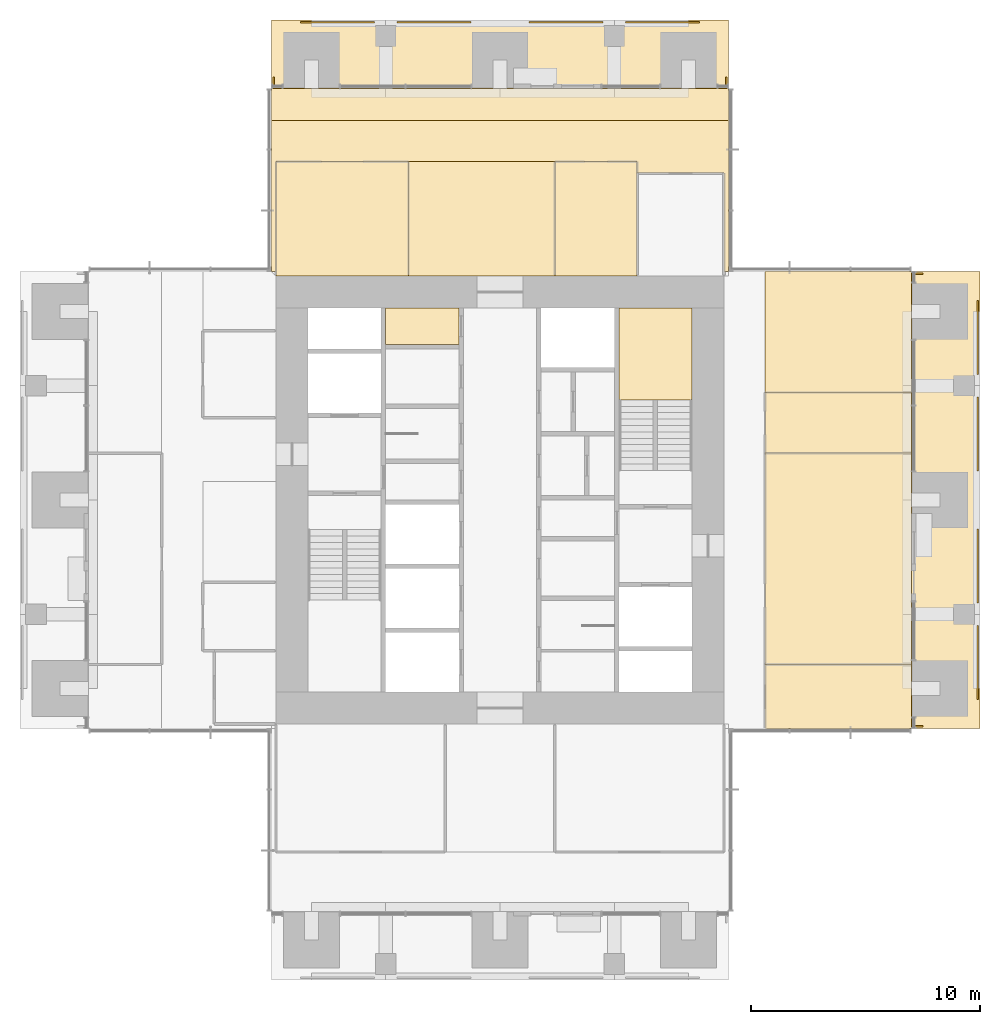
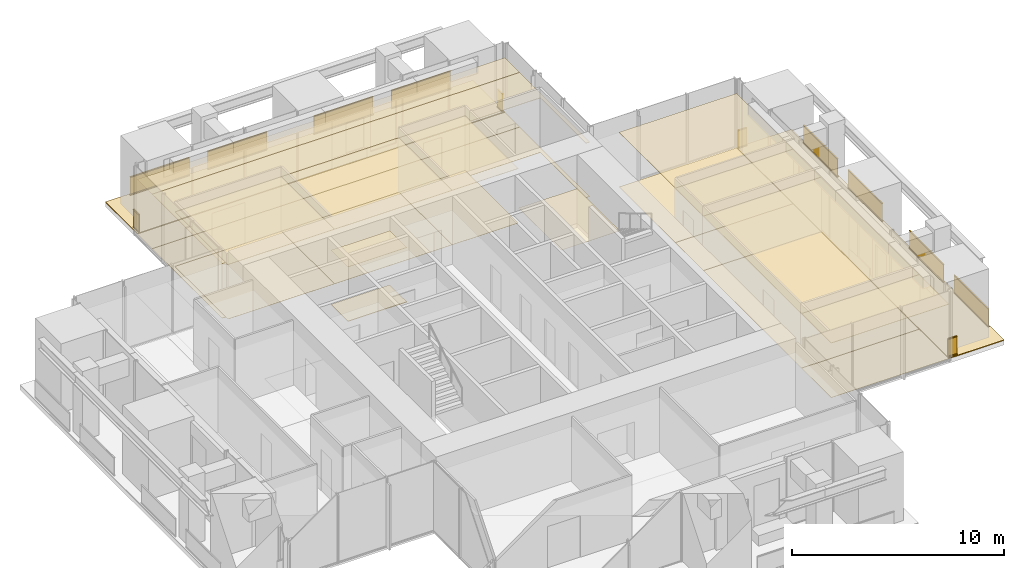
# One storey, part 16 of 17: 23 coverings, 12 railings.
"""IFC4 building model written with IfcOpenShell, lengths in metres."""

import ifcopenshell
import ifcopenshell.guid

model = None  # the IFC model being written
_history = None  # IfcOwnerHistory: only IFC2X3 demands one
_inside = {}  # id of a spatial element -> (the spatial element, [elements in it])
_under = {}  # id of a project, library or spatial element -> (it, [spatial elements below it])
_declared = {}  # id of a project -> (the project, [libraries it declares])
_typed = {}  # id of a type object -> (the type object, [elements of that type])
_made_of = {}  # id of a material, layer set ... -> (it, [elements and type objects made of it])


def new_model(schema):
    """Start an empty IFC model of exactly this schema.

    Asked for "IFC4X3", IfcOpenShell would pick the latest addendum, in which some entities
    have other attributes; the version numbers below select the first issue.
    IFC2X3 requires an IfcOwnerHistory on every rooted entity: one is made here for all.
    """
    global model, _history
    if schema == "IFC4X3":
        model = ifcopenshell.file(schema_version=(4, 3, 0, 0))
    else:
        model = ifcopenshell.file(schema=schema)
    _inside.clear()
    _under.clear()
    _declared.clear()
    _typed.clear()
    _made_of.clear()
    _history = None
    if model.schema == "IFC2X3":
        org = make("IfcOrganization", Name="unknown")
        user = make(
            "IfcPersonAndOrganization",
            ThePerson=make("IfcPerson", FamilyName="unknown"),
            TheOrganization=org,
        )
        app = make(
            "IfcApplication",
            ApplicationDeveloper=org,
            Version="unknown",
            ApplicationFullName="unknown",
            ApplicationIdentifier="unknown",
        )
        _history = make(
            "IfcOwnerHistory",
            OwningUser=user,
            OwningApplication=app,
            ChangeAction="ADDED",
            CreationDate=0,
        )
    return model


def make(cls, **values):
    """One entity of the class cls with the attributes given. An attribute that is None is left unset."""
    return model.create_entity(
        cls, **{name: value for name, value in values.items() if value is not None}
    )


def rooted(cls, **values):
    """An entity with a GlobalId (a new one), such as an element, a storey or a relation."""
    return make(cls, GlobalId=ifcopenshell.guid.new(), OwnerHistory=_history, **values)


def si_unit(unit_type, name, prefix=None):
    """IfcSIUnit, for example si_unit("LENGTHUNIT", "METRE", prefix="MILLI")."""
    return make("IfcSIUnit", UnitType=unit_type, Prefix=prefix, Name=name)


def assignment(units):
    """IfcUnitAssignment: the units of a project."""
    return None if units is None else make("IfcUnitAssignment", Units=units)


def point(xyz):
    """IfcCartesianPoint."""
    return None if xyz is None else make("IfcCartesianPoint", Coordinates=xyz)


def direction(xyz):
    """IfcDirection."""
    return None if xyz is None else make("IfcDirection", DirectionRatios=xyz)


def frame(location, z_axis=None, x_axis=None):
    """IfcAxis2Placement3D, a coordinate frame: its origin and axes. An axis left out is left unset."""
    return make(
        "IfcAxis2Placement3D",
        Location=point(location),
        Axis=direction(z_axis),
        RefDirection=direction(x_axis),
    )


def frame_2d(location, x_axis=None):
    """IfcAxis2Placement2D, a coordinate frame in the plane: its origin and x axis."""
    return make(
        "IfcAxis2Placement2D", Location=point(location), RefDirection=direction(x_axis)
    )


def origin():
    """The frame at (0, 0, 0) with its axes left unset."""
    return frame((0.0, 0.0, 0.0))


def origin_2d():
    """The frame at (0, 0) in the plane with its x axis left unset."""
    return frame_2d((0.0, 0.0))


def place(relative_to, where):
    """IfcLocalPlacement: puts the frame where relative to a parent placement (None: the world)."""
    return make(
        "IfcLocalPlacement", PlacementRelTo=relative_to, RelativePlacement=where
    )


def context(
    kind, dimensions, precision=None, world=None, true_north=None, identifier=None
):
    """IfcGeometricRepresentationContext, for example the 3D "Model" context."""
    return make(
        "IfcGeometricRepresentationContext",
        ContextIdentifier=identifier,
        ContextType=kind,
        CoordinateSpaceDimension=dimensions,
        Precision=precision,
        WorldCoordinateSystem=world,
        TrueNorth=true_north,
    )


def subcontext(parent, identifier, kind, view, scale=None):
    """IfcGeometricRepresentationSubContext, for example "Body" below "Model"."""
    return make(
        "IfcGeometricRepresentationSubContext",
        ContextIdentifier=identifier,
        ContextType=kind,
        ParentContext=parent,
        TargetScale=scale,
        TargetView=view,
    )


def project(units=None, contexts=None):
    """IfcProject with its units and contexts."""
    return rooted(
        "IfcProject",
        Name="project",
        RepresentationContexts=contexts,
        UnitsInContext=assignment(units),
    )


def spatial(cls, under=None, at=None, **own):
    """A site, building, storey or space (cls), placed at a placement, below another one or the project."""
    s = rooted(cls, ObjectPlacement=at, **own)
    if under is not None:
        _under.setdefault(under.id(), (under, []))[1].append(s)
    return s


def polyline(points):
    """IfcPolyline through the points."""
    return make("IfcPolyline", Points=[point(p) for p in points])


def profile(cls, at=None, kind="AREA", **sizes):
    """A parametric profile (cls). Its sizes go by their IFC names, for example OverallWidth=200.0."""
    return make(cls, ProfileType=kind, Position=at, **sizes)


def rectangle(**sizes):
    """IfcRectangleProfileDef."""
    return profile("IfcRectangleProfileDef", **sizes)


def outline(outer, holes=None, kind="AREA"):
    """IfcArbitraryClosedProfileDef: a profile drawn as a closed curve; with holes, ...WithVoids."""
    if holes is None:
        return make("IfcArbitraryClosedProfileDef", ProfileType=kind, OuterCurve=outer)
    return make(
        "IfcArbitraryProfileDefWithVoids",
        ProfileType=kind,
        OuterCurve=outer,
        InnerCurves=holes,
    )


def extrude(swept, where, along, depth):
    """IfcExtrudedAreaSolid: the profile swept, set in the frame where, extruded along a direction by depth."""
    return make(
        "IfcExtrudedAreaSolid",
        SweptArea=swept,
        Position=where,
        ExtrudedDirection=direction(along),
        Depth=depth,
    )


def shape(context_of_items, identifier, shape_type, items):
    """IfcShapeRepresentation: the items that make up one representation, for example the "Body"."""
    return make(
        "IfcShapeRepresentation",
        ContextOfItems=context_of_items,
        RepresentationIdentifier=identifier,
        RepresentationType=shape_type,
        Items=items,
    )


def material(Name=None, Category=None):
    """IfcMaterial."""
    return make("IfcMaterial", Name=Name, Category=Category)


def layer(
    of_material, thickness, ventilated=None, Name=None, Category=None, Priority=None
):
    """IfcMaterialLayer: one layer of a wall or slab, of a material (None: an air gap)."""
    return make(
        "IfcMaterialLayer",
        Material=of_material,
        LayerThickness=thickness,
        IsVentilated=ventilated,
        Name=Name,
        Category=Category,
        Priority=Priority,
    )


def layer_set(layers, Name=None):
    """IfcMaterialLayerSet."""
    return make("IfcMaterialLayerSet", MaterialLayers=layers, LayerSetName=Name)


def made_of(thing, what):
    """Note that an element or type object is made of a material, layer set ...; save() writes the relation."""
    if what is not None:
        _made_of.setdefault(what.id(), (what, []))[1].append(thing)
    return thing


def type_object(cls, material=None, **own):
    """A type object (cls), such as IfcWallType, which elements share."""
    return made_of(rooted(cls, **own), material)


def element(
    cls,
    number,
    at=None,
    inside=None,
    cuts=None,
    type_object=None,
    material=None,
    context=None,
    identifier="Body",
    shape_type=None,
    held_by="IfcProductDefinitionShape",
    body=None,
    shapes=None,
    **own,
):
    """One element of the class cls, such as IfcWall. Its Tag is "e" and its number.

    at: its placement. inside: the storey or other place that contains it. cuts: it is an
    opening in that element (IfcRelVoidsElement). A single representation is given by context,
    identifier, shape_type and body (its items); several are given by shapes. held_by: the class
    of the entity that holds the representations. save() writes the other relations.
    """
    e = rooted(cls, Tag="e%d" % number, ObjectPlacement=at, **own)
    if body is not None:
        shapes = [shape(context, identifier, shape_type, body)]
    if shapes is not None:
        e.Representation = make(held_by, Representations=shapes)
    if inside is not None:
        _inside.setdefault(inside.id(), (inside, []))[1].append(e)
    if cuts is not None:
        rooted(
            "IfcRelVoidsElement", RelatingBuildingElement=cuts, RelatedOpeningElement=e
        )
    if type_object is not None:
        _typed.setdefault(type_object.id(), (type_object, []))[1].append(e)
    return made_of(e, material)


def aggregate(whole, parts):
    """IfcRelAggregates: a whole, such as a stair, and the parts it consists of."""
    return rooted("IfcRelAggregates", RelatingObject=whole, RelatedObjects=parts)


def save(model, path):
    """Write the relations noted so far, then the file.

    IfcRelAggregates (storeys below a building ...), IfcRelContainedInSpatialStructure (elements
    in a storey), IfcRelDefinesByType, IfcRelAssociatesMaterial and IfcRelDeclares: one each for
    every whole, place, type object, material and project.
    """
    for whole, parts in _under.values():
        aggregate(whole, parts)
    for where, things in _inside.values():
        rooted(
            "IfcRelContainedInSpatialStructure",
            RelatedElements=things,
            RelatingStructure=where,
        )
    for kind, things in _typed.values():
        rooted("IfcRelDefinesByType", RelatedObjects=things, RelatingType=kind)
    for what, things in _made_of.values():
        rooted("IfcRelAssociatesMaterial", RelatedObjects=things, RelatingMaterial=what)
    for by, libraries in _declared.values():
        rooted("IfcRelDeclares", RelatingContext=by, RelatedDefinitions=libraries)
    model.write(path)


model = new_model("IFC4")

# Units and contexts
model_context = context("Model", 3, precision=1e-05, world=origin(), true_north=direction((0.0, 1.0)))
body_context = subcontext(model_context, "Body", "Model", "MODEL_VIEW")
ifc_project = project(units=[si_unit("LENGTHUNIT", "METRE"), si_unit("AREAUNIT", "SQUARE_METRE"), si_unit("VOLUMEUNIT", "CUBIC_METRE"), si_unit("PLANEANGLEUNIT", "RADIAN"), si_unit("MASSUNIT", "GRAM", prefix="KILO")], contexts=[model_context])

# Site, building, storey
site_placement = place(None, origin())
site = spatial("IfcSite", under=ifc_project, at=site_placement, CompositionType="ELEMENT")
building_placement = place(site_placement, origin())
building = spatial("IfcBuilding", under=site, at=building_placement, Name="Svetlomir Tower", CompositionType="ELEMENT")
storey_placement = place(building_placement, frame((0.0, 0.0, 210.5)))
storey = spatial("IfcBuildingStorey", under=building, at=storey_placement, Name="L50", CompositionType="ELEMENT", Elevation=210.5)

# Railings
ifc_material_1 = material(Name="Bronze anodised aluminium and laminated glass", Category="aluminium")
railing_type = type_object("IfcRailingType", Name="BALCONY GUARD GR1 1100", PredefinedType="GUARDRAIL", material=ifc_material_1)
for number, where, name in (
    (1, (41.89990234375, 12.27490234375, 0.0), "Loggia guard E L50 bay 1"),
    (2, (41.89990234375, 16.5, 0.0), "Loggia guard E L50 bay 2"),
    (3, (41.89990234375, 22.27490234375, 0.0), "Loggia guard E L50 bay 3"),
    (4, (41.89990234375, 26.5, 0.0), "Loggia guard E L50 bay 4"),
):
    element("IfcRailing", number, at=place(storey_placement, frame(where)), inside=storey, type_object=railing_type, Name=name, PredefinedType="GUARDRAIL", context=body_context, shape_type="SweptSolid", body=[
        extrude(rectangle(XDim=0.06005859375, YDim=0.10009765625, at=origin_2d()), frame((0.0, 0.0, 0.050048828125), z_axis=(0.0, 1.0, 0.0), x_axis=(-1.0, 0.0, 0.0)), (0.0, 0.0, 1.0), 3.22509765625),
        extrude(rectangle(XDim=0.021484375, YDim=0.960205078125, at=origin_2d()), frame((0.0, 0.0, 0.580078125), z_axis=(0.0, 1.0, 0.0), x_axis=(-1.0, 0.0, 0.0)), (0.0, 0.0, 1.0), 3.22509765625),
        extrude(rectangle(XDim=0.06005859375, YDim=0.0400390625, at=origin_2d()), frame((0.0, 0.0, 1.080078125), z_axis=(0.0, 1.0, 0.0), x_axis=(-1.0, 0.0, 0.0)), (0.0, 0.0, 1.0), 3.22509765625),
    ])
for number, where, name in (
    (5, (39.5, 11.10009765625, 0.0), "Loggia guard E L50 end 1"),
    (6, (39.5, 30.89990234375, 0.0), "Loggia guard E L50 end 2"),
):
    element("IfcRailing", number, at=place(storey_placement, frame(where)), inside=storey, type_object=railing_type, Name=name, PredefinedType="GUARDRAIL", context=body_context, shape_type="SweptSolid", body=[
        extrude(rectangle(XDim=0.06005859375, YDim=0.10009765625, at=origin_2d()), frame((0.0, 0.0, 0.050048828125), z_axis=(-1.0, 0.0, 0.0), x_axis=(0.0, -1.0, 0.0)), (0.0, 0.0, 1.0), 0.5),
        extrude(rectangle(XDim=0.021484375, YDim=0.960205078125, at=origin_2d()), frame((0.0, 0.0, 0.580078125), z_axis=(-1.0, 0.0, 0.0), x_axis=(0.0, -1.0, 0.0)), (0.0, 0.0, 1.0), 0.5),
        extrude(rectangle(XDim=0.06005859375, YDim=0.0400390625, at=origin_2d()), frame((0.0, 0.0, 1.080078125), z_axis=(-1.0, 0.0, 0.0), x_axis=(0.0, -1.0, 0.0)), (0.0, 0.0, 1.0), 0.5),
    ])
for number, where, name in (
    (7, (12.27490234375, 41.89990234375, 0.0), "Loggia guard N L50 bay 1"),
    (8, (16.5, 41.89990234375, 0.0), "Loggia guard N L50 bay 2"),
    (9, (22.27490234375, 41.89990234375, 0.0), "Loggia guard N L50 bay 3"),
    (10, (26.5, 41.89990234375, 0.0), "Loggia guard N L50 bay 4"),
):
    element("IfcRailing", number, at=place(storey_placement, frame(where)), inside=storey, type_object=railing_type, Name=name, PredefinedType="GUARDRAIL", context=body_context, shape_type="SweptSolid", body=[
        extrude(rectangle(XDim=0.06005859375, YDim=0.10009765625, at=origin_2d()), frame((0.0, 0.0, 0.050048828125), z_axis=(1.0, 0.0, 0.0), x_axis=(0.0, 1.0, 0.0)), (0.0, 0.0, 1.0), 3.22509765625),
        extrude(rectangle(XDim=0.021484375, YDim=0.960205078125, at=origin_2d()), frame((0.0, 0.0, 0.580078125), z_axis=(1.0, 0.0, 0.0), x_axis=(0.0, 1.0, 0.0)), (0.0, 0.0, 1.0), 3.22509765625),
        extrude(rectangle(XDim=0.06005859375, YDim=0.0400390625, at=origin_2d()), frame((0.0, 0.0, 1.080078125), z_axis=(1.0, 0.0, 0.0), x_axis=(0.0, 1.0, 0.0)), (0.0, 0.0, 1.0), 3.22509765625),
    ])
for number, where, name in (
    (11, (11.10009765625, 39.5, 0.0), "Loggia guard N L50 end 1"),
    (12, (30.89990234375, 39.5, 0.0), "Loggia guard N L50 end 2"),
):
    element("IfcRailing", number, at=place(storey_placement, frame(where)), inside=storey, type_object=railing_type, Name=name, PredefinedType="GUARDRAIL", context=body_context, shape_type="SweptSolid", body=[
        extrude(rectangle(XDim=0.06005859375, YDim=0.10009765625, at=origin_2d()), frame((0.0, 0.0, 0.050048828125), z_axis=(0.0, -1.0, 0.0), x_axis=(1.0, 0.0, 0.0)), (0.0, 0.0, 1.0), 0.5),
        extrude(rectangle(XDim=0.021484375, YDim=0.960205078125, at=origin_2d()), frame((0.0, 0.0, 0.580078125), z_axis=(0.0, -1.0, 0.0), x_axis=(1.0, 0.0, 0.0)), (0.0, 0.0, 1.0), 0.5),
        extrude(rectangle(XDim=0.06005859375, YDim=0.0400390625, at=origin_2d()), frame((0.0, 0.0, 1.080078125), z_axis=(0.0, -1.0, 0.0), x_axis=(1.0, 0.0, 0.0)), (0.0, 0.0, 1.0), 0.5),
    ])

# Coverings
ifc_material_2 = material(Name="Granite paving slabs on pedestals", Category="masonry")
ifc_layer_1 = layer(ifc_material_2, 0.0400390625)
ifc_layer_set_1 = layer_set([ifc_layer_1], Name="Granite paving slabs on pedestals")
covering_type_1 = type_object("IfcCoveringType", Name="BALCONY PAVING 40", PredefinedType="USERDEFINED", material=ifc_layer_set_1)
covering_1_placement = place(storey_placement, origin())
element("IfcCovering", 13, at=covering_1_placement, inside=storey, type_object=covering_type_1, Name="Loggia paving E L50", ObjectType="BALCONY PAVING", PredefinedType="USERDEFINED", context=body_context, shape_type="SweptSolid", body=[
    extrude(outline(polyline([(39.0, 11.0), (42.0, 11.0), (42.0, 31.0), (39.0, 31.0), (39.0, 11.0)])), origin(), (0.0, 0.0, 1.0), 0.0400390625),
])
covering_2_placement = place(storey_placement, origin())
element("IfcCovering", 14, at=covering_2_placement, inside=storey, type_object=covering_type_1, Name="Loggia paving N L50", ObjectType="BALCONY PAVING", PredefinedType="USERDEFINED", context=body_context, shape_type="SweptSolid", body=[
    extrude(outline(polyline([(11.0, 39.0), (31.0, 39.0), (31.0, 42.0), (11.0, 42.0), (11.0, 39.0)])), origin(), (0.0, 0.0, 1.0), 0.0400390625),
])
ifc_material_3 = material(Name="Carpet tile", Category="textile")
ifc_layer_2 = layer(ifc_material_3, 0.010009765625)
ifc_layer_set_2 = layer_set([ifc_layer_2], Name="Carpet tile")
covering_type_2 = type_object("IfcCoveringType", Name="CARPET TILE FLOOR 10", PredefinedType="FLOORING", material=ifc_layer_set_2)
covering_3_placement = place(storey_placement, origin())
element("IfcCovering", 15, at=covering_3_placement, inside=storey, type_object=covering_type_2, Name="Floor finish L50-20", PredefinedType="FLOORING", context=body_context, shape_type="SweptSolid", body=[
    extrude(outline(polyline([(32.60009765625, 11.0), (39.0, 11.0), (39.0, 13.800048828125), (32.60009765625, 13.800048828125), (32.60009765625, 11.0)])), origin(), (0.0, 0.0, 1.0), 0.010009765625),
])
covering_4_placement = place(storey_placement, origin())
element("IfcCovering", 16, at=covering_4_placement, inside=storey, type_object=covering_type_2, Name="Floor finish L50-21", PredefinedType="FLOORING", context=body_context, shape_type="SweptSolid", body=[
    extrude(outline(polyline([(32.60009765625, 13.800048828125), (39.0, 13.800048828125), (39.0, 23.050048828125), (32.60009765625, 23.050048828125), (32.60009765625, 13.800048828125)])), origin(), (0.0, 0.0, 1.0), 0.010009765625),
])
covering_5_placement = place(storey_placement, origin())
element("IfcCovering", 17, at=covering_5_placement, inside=storey, type_object=covering_type_2, Name="Floor finish L50-22", PredefinedType="FLOORING", context=body_context, shape_type="SweptSolid", body=[
    extrude(outline(polyline([(32.60009765625, 23.050048828125), (39.0, 23.050048828125), (39.0, 25.699951171875), (32.60009765625, 25.699951171875), (32.60009765625, 23.050048828125)])), origin(), (0.0, 0.0, 1.0), 0.010009765625),
])
covering_6_placement = place(storey_placement, origin())
element("IfcCovering", 18, at=covering_6_placement, inside=storey, type_object=covering_type_2, Name="Floor finish L50-23", PredefinedType="FLOORING", context=body_context, shape_type="SweptSolid", body=[
    extrude(outline(polyline([(11.199951171875, 30.800048828125), (17.0, 30.800048828125), (17.0, 35.800048828125), (11.199951171875, 35.800048828125), (11.199951171875, 30.800048828125)])), origin(), (0.0, 0.0, 1.0), 0.010009765625),
])
covering_7_placement = place(storey_placement, origin())
element("IfcCovering", 19, at=covering_7_placement, inside=storey, type_object=covering_type_2, Name="Floor finish L50-24", PredefinedType="FLOORING", context=body_context, shape_type="SweptSolid", body=[
    extrude(outline(polyline([(23.39990234375, 30.800048828125), (27.0, 30.800048828125), (27.0, 35.800048828125), (23.39990234375, 35.800048828125), (23.39990234375, 30.800048828125)])), origin(), (0.0, 0.0, 1.0), 0.010009765625),
])
covering_8_placement = place(storey_placement, origin())
element("IfcCovering", 20, at=covering_8_placement, inside=storey, type_object=covering_type_2, Name="Floor finish L50-33", PredefinedType="FLOORING", context=body_context, shape_type="SweptSolid", body=[
    extrude(outline(polyline([(30.800048828125, 35.300048828125), (27.0, 35.300048828125), (27.0, 35.800048828125), (11.199951171875, 35.800048828125), (11.199951171875, 31.0), (11.0, 31.0), (11.0, 37.60009765625), (31.0, 37.60009765625), (31.0, 31.0), (30.800048828125, 31.0), (30.800048828125, 35.300048828125)])), origin(), (0.0, 0.0, 1.0), 0.010009765625),
])
covering_9_placement = place(storey_placement, origin())
element("IfcCovering", 21, at=covering_9_placement, inside=storey, type_object=covering_type_2, Name="Floor finish L50-35", PredefinedType="FLOORING", context=body_context, shape_type="SweptSolid", body=[
    extrude(outline(polyline([(32.60009765625, 25.699951171875), (32.60009765625, 31.0), (39.0, 31.0), (39.0, 25.699951171875), (32.60009765625, 25.699951171875)])), origin(), (0.0, 0.0, 1.0), 0.010009765625),
])
covering_10_placement = place(storey_placement, origin())
element("IfcCovering", 22, at=covering_10_placement, inside=storey, type_object=covering_type_2, Name="Floor finish L50-36", PredefinedType="FLOORING", context=body_context, shape_type="SweptSolid", body=[
    extrude(outline(polyline([(17.0, 30.800048828125), (17.0, 35.800048828125), (23.39990234375, 35.800048828125), (23.39990234375, 30.800048828125), (17.0, 30.800048828125)])), origin(), (0.0, 0.0, 1.0), 0.010009765625),
])
covering_11_placement = place(storey_placement, origin())
element("IfcCovering", 23, at=covering_11_placement, inside=storey, type_object=covering_type_2, Name="Floor finish L50-37", PredefinedType="FLOORING", context=body_context, shape_type="SweptSolid", body=[
    extrude(outline(polyline([(31.0, 39.0), (31.0, 37.60009765625), (11.0, 37.60009765625), (11.0, 39.0), (31.0, 39.0)])), origin(), (0.0, 0.0, 1.0), 0.010009765625),
])
ifc_material_4 = material(Name="Gypsum plasterboard ceiling", Category="gypsum")
ifc_layer_3 = layer(ifc_material_4, 0.014892578125)
ifc_layer_set_3 = layer_set([ifc_layer_3], Name="Gypsum plasterboard ceiling")
covering_type_3 = type_object("IfcCoveringType", Name="PLASTERBOARD CEILING 15", PredefinedType="CEILING", material=ifc_layer_set_3)
covering_12_placement = place(storey_placement, frame((0.0, 0.0, 3.135009765625)))
element("IfcCovering", 24, at=covering_12_placement, inside=storey, type_object=covering_type_3, Name="Ceiling L50-06", PredefinedType="CEILING", context=body_context, shape_type="SweptSolid", body=[
    extrude(outline(polyline([(16.0, 27.800048828125), (19.199951171875, 27.800048828125), (19.199951171875, 29.39990234375), (16.0, 29.39990234375), (16.0, 27.800048828125)])), origin(), (0.0, 0.0, 1.0), 0.014892578125),
])
ifc_material_5 = material(Name="Studded rubber floor finish", Category="rubber")
ifc_layer_4 = layer(ifc_material_5, 0.006103515625)
ifc_layer_set_4 = layer_set([ifc_layer_4], Name="Studded rubber floor finish")
covering_type_4 = type_object("IfcCoveringType", Name="RUBBER LANDING FINISH 6", PredefinedType="FLOORING", material=ifc_layer_set_4)
covering_13_placement = place(storey_placement, frame((0.0, 0.0, 2.0)))
element("IfcCovering", 25, at=covering_13_placement, inside=storey, type_object=covering_type_4, Name="Stair S2 landing finish L50", PredefinedType="FLOORING", context=body_context, shape_type="SweptSolid", body=[
    extrude(outline(polyline([(26.199951171875, 25.3798828125), (29.39990234375, 25.3798828125), (29.39990234375, 29.39990234375), (26.199951171875, 29.39990234375), (26.199951171875, 25.3798828125)])), origin(), (0.0, 0.0, 1.0), 0.006103515625),
])
ifc_material_6 = material(Name="Mineral fibre ceiling tile", Category="mineral")
ifc_layer_5 = layer(ifc_material_6, 0.02001953125)
ifc_layer_set_5 = layer_set([ifc_layer_5], Name="Mineral fibre ceiling tile")
covering_type_5 = type_object("IfcCoveringType", Name="SUSPENDED CEILING 20", PredefinedType="CEILING", material=ifc_layer_set_5)
covering_14_placement = place(storey_placement, frame((0.0, 0.0, 3.1298828125)))
element("IfcCovering", 26, at=covering_14_placement, inside=storey, type_object=covering_type_5, Name="Ceiling L50-20", PredefinedType="CEILING", context=body_context, shape_type="SweptSolid", body=[
    extrude(outline(polyline([(32.60009765625, 11.0), (39.0, 11.0), (39.0, 13.800048828125), (32.60009765625, 13.800048828125), (32.60009765625, 11.0)])), origin(), (0.0, 0.0, 1.0), 0.02001953125),
])
covering_15_placement = place(storey_placement, frame((0.0, 0.0, 3.1298828125)))
element("IfcCovering", 27, at=covering_15_placement, inside=storey, type_object=covering_type_5, Name="Ceiling L50-21", PredefinedType="CEILING", context=body_context, shape_type="SweptSolid", body=[
    extrude(outline(polyline([(32.60009765625, 13.800048828125), (39.0, 13.800048828125), (39.0, 23.050048828125), (32.60009765625, 23.050048828125), (32.60009765625, 13.800048828125)])), origin(), (0.0, 0.0, 1.0), 0.02001953125),
])
covering_16_placement = place(storey_placement, frame((0.0, 0.0, 3.1298828125)))
element("IfcCovering", 28, at=covering_16_placement, inside=storey, type_object=covering_type_5, Name="Ceiling L50-22", PredefinedType="CEILING", context=body_context, shape_type="SweptSolid", body=[
    extrude(outline(polyline([(32.60009765625, 23.050048828125), (39.0, 23.050048828125), (39.0, 25.699951171875), (32.60009765625, 25.699951171875), (32.60009765625, 23.050048828125)])), origin(), (0.0, 0.0, 1.0), 0.02001953125),
])
covering_17_placement = place(storey_placement, frame((0.0, 0.0, 3.1298828125)))
element("IfcCovering", 29, at=covering_17_placement, inside=storey, type_object=covering_type_5, Name="Ceiling L50-23", PredefinedType="CEILING", context=body_context, shape_type="SweptSolid", body=[
    extrude(outline(polyline([(11.199951171875, 30.800048828125), (17.0, 30.800048828125), (17.0, 35.800048828125), (11.199951171875, 35.800048828125), (11.199951171875, 30.800048828125)])), origin(), (0.0, 0.0, 1.0), 0.02001953125),
])
covering_18_placement = place(storey_placement, frame((0.0, 0.0, 3.1298828125)))
element("IfcCovering", 30, at=covering_18_placement, inside=storey, type_object=covering_type_5, Name="Ceiling L50-24", PredefinedType="CEILING", context=body_context, shape_type="SweptSolid", body=[
    extrude(outline(polyline([(23.39990234375, 30.800048828125), (27.0, 30.800048828125), (27.0, 35.800048828125), (23.39990234375, 35.800048828125), (23.39990234375, 30.800048828125)])), origin(), (0.0, 0.0, 1.0), 0.02001953125),
])
covering_19_placement = place(storey_placement, frame((0.0, 0.0, 3.1298828125)))
element("IfcCovering", 31, at=covering_19_placement, inside=storey, type_object=covering_type_5, Name="Ceiling L50-33", PredefinedType="CEILING", context=body_context, shape_type="SweptSolid", body=[
    extrude(outline(polyline([(30.800048828125, 35.300048828125), (27.0, 35.300048828125), (27.0, 35.800048828125), (11.199951171875, 35.800048828125), (11.199951171875, 31.0), (11.0, 31.0), (11.0, 37.60009765625), (31.0, 37.60009765625), (31.0, 31.0), (30.800048828125, 31.0), (30.800048828125, 35.300048828125)])), origin(), (0.0, 0.0, 1.0), 0.02001953125),
])
covering_20_placement = place(storey_placement, frame((0.0, 0.0, 3.1298828125)))
element("IfcCovering", 32, at=covering_20_placement, inside=storey, type_object=covering_type_5, Name="Ceiling L50-35", PredefinedType="CEILING", context=body_context, shape_type="SweptSolid", body=[
    extrude(outline(polyline([(32.60009765625, 25.699951171875), (32.60009765625, 31.0), (39.0, 31.0), (39.0, 25.699951171875), (32.60009765625, 25.699951171875)])), origin(), (0.0, 0.0, 1.0), 0.02001953125),
])
covering_21_placement = place(storey_placement, frame((0.0, 0.0, 3.1298828125)))
element("IfcCovering", 33, at=covering_21_placement, inside=storey, type_object=covering_type_5, Name="Ceiling L50-36", PredefinedType="CEILING", context=body_context, shape_type="SweptSolid", body=[
    extrude(outline(polyline([(17.0, 30.800048828125), (17.0, 35.800048828125), (23.39990234375, 35.800048828125), (23.39990234375, 30.800048828125), (17.0, 30.800048828125)])), origin(), (0.0, 0.0, 1.0), 0.02001953125),
])
covering_22_placement = place(storey_placement, frame((0.0, 0.0, 3.1298828125)))
element("IfcCovering", 34, at=covering_22_placement, inside=storey, type_object=covering_type_5, Name="Ceiling L50-37", PredefinedType="CEILING", context=body_context, shape_type="SweptSolid", body=[
    extrude(outline(polyline([(31.0, 39.0), (31.0, 37.60009765625), (11.0, 37.60009765625), (11.0, 39.0), (31.0, 39.0)])), origin(), (0.0, 0.0, 1.0), 0.02001953125),
])
ifc_material_7 = material(Name="Bronze-aggregate terrazzo", Category="stone")
ifc_layer_6 = layer(ifc_material_7, 0.030029296875)
ifc_layer_set_6 = layer_set([ifc_layer_6], Name="Bronze-aggregate terrazzo")
covering_type_6 = type_object("IfcCoveringType", Name="TERRAZZO FLOOR 30", PredefinedType="FLOORING", material=ifc_layer_set_6)
covering_23_placement = place(storey_placement, origin())
element("IfcCovering", 35, at=covering_23_placement, inside=storey, type_object=covering_type_6, Name="Floor finish L50-06", PredefinedType="FLOORING", context=body_context, shape_type="SweptSolid", body=[
    extrude(outline(polyline([(16.0, 27.800048828125), (19.199951171875, 27.800048828125), (19.199951171875, 29.39990234375), (16.0, 29.39990234375), (16.0, 27.800048828125)])), origin(), (0.0, 0.0, 1.0), 0.030029296875),
])

save(model, "model.ifc")
